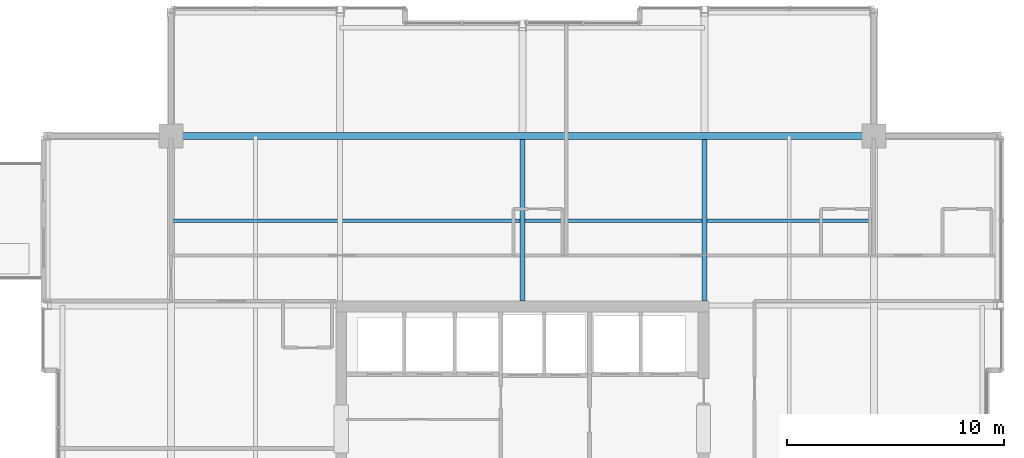
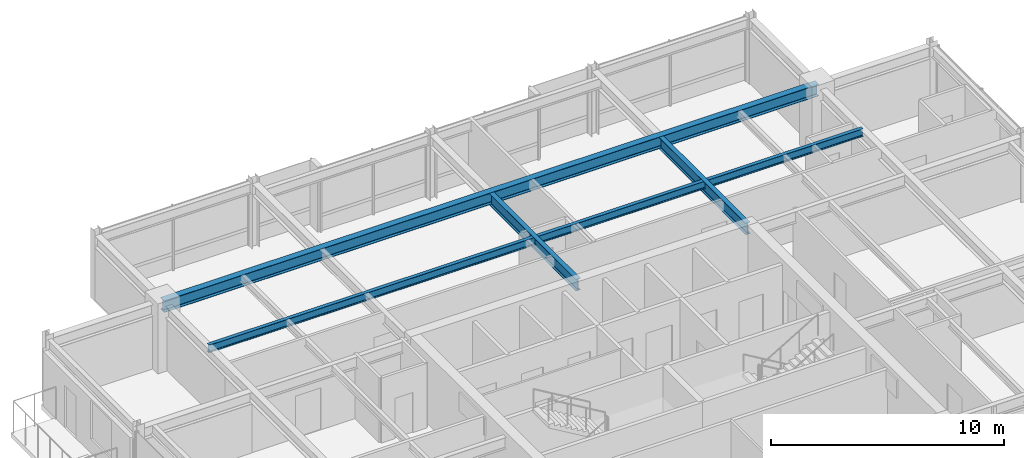
# One storey, part 22 of 33: 4 beams.
"""IFC4 building model written with IfcOpenShell, lengths in metres."""

from ifc_helpers import new_model, si_unit, direction, frame, origin, origin_2d, place, context, subcontext, project, spatial, i_section, extrude, material, material_profile, profile_set, type_object, element, save


model = new_model("IFC4")

# Units and contexts
model_context = context("Model", 3, precision=1e-05, world=origin(), true_north=direction((0.0, 1.0)))
body_context = subcontext(model_context, "Body", "Model", "MODEL_VIEW")
ifc_project = project(units=[si_unit("LENGTHUNIT", "METRE"), si_unit("AREAUNIT", "SQUARE_METRE"), si_unit("VOLUMEUNIT", "CUBIC_METRE"), si_unit("PLANEANGLEUNIT", "RADIAN"), si_unit("MASSUNIT", "GRAM", prefix="KILO")], contexts=[model_context])

# Site, building, storey
site_placement = place(None, origin())
site = spatial("IfcSite", under=ifc_project, at=site_placement, CompositionType="ELEMENT")
building_placement = place(site_placement, origin())
building = spatial("IfcBuilding", under=site, at=building_placement, Name="Drelvath Grand Hotel", CompositionType="ELEMENT")
storey_placement = place(building_placement, frame((0.0, 0.0, 279.60009765625)))
storey = spatial("IfcBuildingStorey", under=building, at=storey_placement, Name="L73", CompositionType="ELEMENT", Elevation=279.60009765625)

# Beams
ifc_material = material(Name="Steel ASTM A992 Gr 50", Category="steel")
ifc_material_profile_1 = material_profile(ifc_material, i_section(OverallWidth=0.177734375, OverallDepth=0.40673828125, WebThickness=0.0078125, FlangeThickness=0.0126953125, FilletRadius=0.014892578125, at=origin_2d()), Name="W16X40")
ifc_profile_set_1 = profile_set([ifc_material_profile_1], Name="Steel ASTM A992 Gr 50")
beam_type_1 = type_object("IfcBeamType", Name="Composite Floor Joist W16X40", PredefinedType="JOIST", material=ifc_profile_set_1)
beam_1_placement = place(storey_placement, frame((-16.199951171875, 39.300048828125, 3.1865234375), z_axis=(1.0, 0.0, 0.0), x_axis=(0.0, 1.0, 0.0)))
element("IfcBeam", 1, at=beam_1_placement, inside=storey, type_object=beam_type_1, Name="L73 Floor Joist J2", PredefinedType="JOIST", context=body_context, shape_type="SweptSolid", body=[
    extrude(i_section(OverallWidth=0.177734375, OverallDepth=0.40673828125, WebThickness=0.0078125, FlangeThickness=0.0126953125, FilletRadius=0.014892578125, at=origin_2d()), origin(), (0.0, 0.0, 1.0), 32.39990234375),
])
ifc_material_profile_2 = material_profile(ifc_material, i_section(OverallWidth=0.323974609375, OverallDepth=0.611083984375, WebThickness=0.0126953125, FlangeThickness=0.01904296875, FilletRadius=0.02197265625, at=origin_2d()), Name="W24X104")
ifc_profile_set_2 = profile_set([ifc_material_profile_2], Name="Steel ASTM A992 Gr 50")
beam_type_2 = type_object("IfcBeamType", Name="Primary Floor Girder W24X104", PredefinedType="BEAM", material=ifc_profile_set_2)
beam_2_placement = place(storey_placement, frame((-16.199951171875, 43.199951171875, 3.08447265625), z_axis=(1.0, 0.0, 0.0), x_axis=(0.0, 1.0, 0.0)))
element("IfcBeam", 2, at=beam_2_placement, inside=storey, type_object=beam_type_2, Name="L73 Mega Ring Girder North", PredefinedType="BEAM", context=body_context, shape_type="SweptSolid", body=[
    extrude(i_section(OverallWidth=0.323974609375, OverallDepth=0.611083984375, WebThickness=0.0126953125, FlangeThickness=0.01904296875, FilletRadius=0.02197265625, at=origin_2d()), origin(), (0.0, 0.0, 1.0), 32.39990234375),
])
ifc_material_profile_3 = material_profile(ifc_material, i_section(OverallWidth=0.228271484375, OverallDepth=0.607666015625, WebThickness=0.01123046875, FlangeThickness=0.017333984375, FilletRadius=0.02001953125, at=origin_2d()), Name="W24X76")
ifc_profile_set_3 = profile_set([ifc_material_profile_3], Name="Steel ASTM A992 Gr 50")
beam_type_3 = type_object("IfcBeamType", Name="Primary Floor Girder W24X76", PredefinedType="BEAM", material=ifc_profile_set_3)
for number, where, z_axis, x_axis, name in (
    (3, (0.0, 35.60009765625, 3.086181640625), (0.0, 1.0, 0.0), (-1.0, 0.0, 0.0), "L73 North Core Tie 5"),
    (4, (8.39990234375, 35.60009765625, 3.086181640625), (0.0, 1.0, 0.0), (-1.0, 0.0, 0.0), "L73 North Core Tie 6"),
):
    element("IfcBeam", number, at=place(storey_placement, frame(where, z_axis=z_axis, x_axis=x_axis)), inside=storey, type_object=beam_type_3, Name=name, PredefinedType="BEAM", context=body_context, shape_type="SweptSolid", body=[
        extrude(i_section(OverallWidth=0.228271484375, OverallDepth=0.607666015625, WebThickness=0.01123046875, FlangeThickness=0.017333984375, FilletRadius=0.02001953125, at=origin_2d()), origin(), (0.0, 0.0, 1.0), 7.43798828125),
    ])

save(model, "model.ifc")
